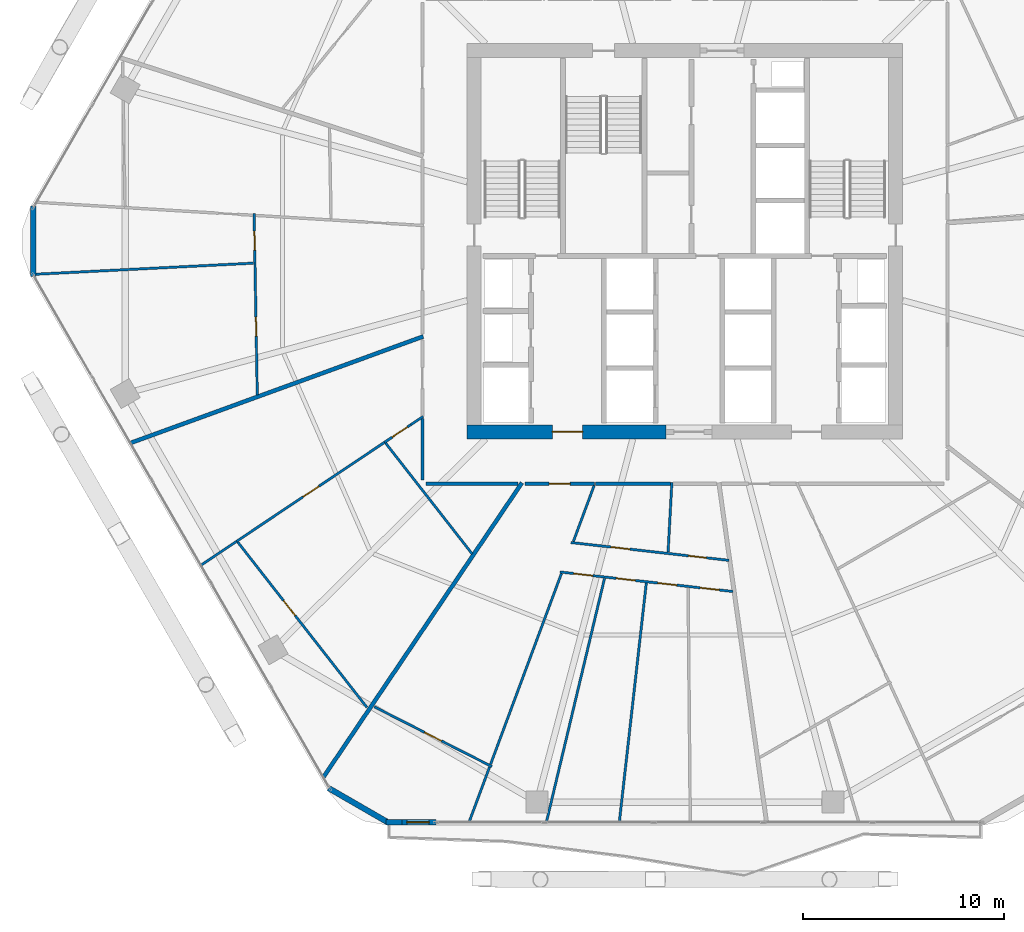
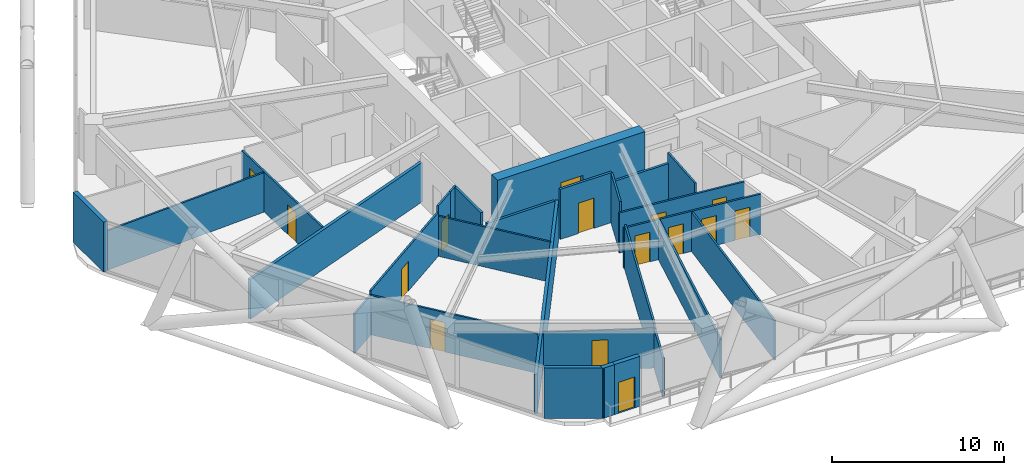
# One storey, part 27 of 35: 28 walls, 15 doors, 15 openings.
"""IFC4 building model written with IfcOpenShell, lengths in metres."""

from ifc_helpers import new_model, si_unit, direction, frame, frame_2d, origin, place, context, subcontext, project, spatial, rectangle, extrude, material, layer, layer_set, type_object, element, fill, save


model = new_model("IFC4")

# Units and contexts
model_context = context("Model", 3, precision=1e-05, world=origin(), true_north=direction((0.0, 1.0)))
body_context = subcontext(model_context, "Body", "Model", "MODEL_VIEW")
ifc_project = project(units=[si_unit("LENGTHUNIT", "METRE"), si_unit("AREAUNIT", "SQUARE_METRE"), si_unit("VOLUMEUNIT", "CUBIC_METRE"), si_unit("PLANEANGLEUNIT", "RADIAN"), si_unit("MASSUNIT", "GRAM", prefix="KILO")], contexts=[model_context])

# Site, building, storey
site_placement = place(None, origin())
site = spatial("IfcSite", under=ifc_project, at=site_placement, CompositionType="ELEMENT")
building_placement = place(site_placement, origin())
building = spatial("IfcBuilding", under=site, at=building_placement, Name="Zuhravey Tower", CompositionType="ELEMENT")
storey_placement = place(building_placement, frame((0.0, 0.0, 92.39990234375)))
storey = spatial("IfcBuildingStorey", under=building, at=storey_placement, Name="L22", CompositionType="ELEMENT", Elevation=92.39990234375)

# Wall, opening, door
ifc_material_1 = material(Name="Concrete C60/75", Category="concrete")
ifc_layer_1 = layer(ifc_material_1, 0.699951171875)
ifc_layer_set_1 = layer_set([ifc_layer_1], Name="Concrete C60/75")
wall_type_1 = type_object("IfcWallType", Name="Core Shear Wall 700", PredefinedType="SHEAR", material=ifc_layer_set_1)
wall_1_placement = place(storey_placement, frame((25.14990234375, 22.5, 0.0), z_axis=(0.0, 0.0, 1.0), x_axis=(1.0, 0.0, 0.0)))
wall_1 = element("IfcWall", 1, at=wall_1_placement, inside=storey, type_object=wall_type_1, Name="L22 South-West Core Shear Wall CW70", PredefinedType="SHEAR", context=body_context, shape_type="SweptSolid", body=[
    extrude(rectangle(XDim=9.900146484375, YDim=0.699951171875, at=frame_2d((4.9501953125, 0.0))), origin(), (0.0, 0.0, 1.0), 3.800048828125),
])
opening_1_placement = place(wall_1_placement, frame((4.25, 0.0, 0.0)))
opening_1 = element("IfcOpeningElement", 2, at=opening_1_placement, cuts=wall_1, Name="Opening FFD1", PredefinedType="OPENING", context=body_context, shape_type="SweptSolid", body=[
    extrude(rectangle(XDim=1.5, YDim=2.14990234375, at=frame_2d((0.75, 1.074951171875))), frame((0.0, 0.362060546875, 0.0), z_axis=(0.0, -1.0, 0.0), x_axis=(1.0, 0.0, 0.0)), (0.0, 0.0, 1.0), 0.723876953125),
])
ifc_material_2 = material(Name="Galvanised fire-rated steel leaf", Category="steel")
door_type_1 = type_object("IfcDoorType", Name="Firefighting Lobby Double Door 1500x2150", OperationType="DOUBLE_DOOR_SINGLE_SWING", PredefinedType="DOOR", material=ifc_material_2)
door_1_placement = place(opening_1_placement, origin())
door_1 = element("IfcDoor", 3, at=door_1_placement, inside=storey, type_object=door_type_1, Name="L22 Firefighting Lobby West Door", OperationType="DOUBLE_DOOR_SINGLE_SWING", OverallHeight=2.14990234375, OverallWidth=1.5, PredefinedType="DOOR", context=body_context, shape_type="SweptSolid", body=[
    extrude(rectangle(XDim=1.5, YDim=2.14990234375, at=frame_2d((0.75, 1.074951171875))), frame((0.0, 0.02490234375, 0.0), z_axis=(0.0, -1.0, 0.0), x_axis=(1.0, 0.0, 0.0)), (0.0, 0.0, 1.0), 0.050048828125),
])
fill(opening_1, door_1)

ifc_material_3 = material(Name="Gypsum fire-rated stud partition")
ifc_layer_2 = layer(ifc_material_3, 0.159912109375)
ifc_layer_set_2 = layer_set([ifc_layer_2], Name="Gypsum fire-rated stud partition")
wall_type_2 = type_object("IfcWallType", Name="Corridor Fire Partition 160", PredefinedType="PARTITIONING", material=ifc_layer_set_2)
wall_2_placement = place(storey_placement, frame((28.0283203125, 19.919921875, 0.0), z_axis=(0.0, 0.0, 1.0), x_axis=(1.0, 0.0, 0.0)))
wall_2 = element("IfcWall", 4, at=wall_2_placement, inside=storey, type_object=wall_type_2, Name="L22 IW16 Partition 054", PredefinedType="PARTITIONING", context=body_context, shape_type="SweptSolid", body=[
    extrude(rectangle(XDim=3.462646484375, YDim=0.159912109375, at=frame_2d((1.7314453125, 0.0))), origin(), (0.0, 0.0, 1.0), 3.550048828125),
])
opening_2_placement = place(wall_2_placement, frame((1.206298828125, 0.0, 0.0)))
opening_2 = element("IfcOpeningElement", 5, at=opening_2_placement, cuts=wall_2, Name="Opening APD1", PredefinedType="OPENING", context=body_context, shape_type="SweptSolid", body=[
    extrude(rectangle(XDim=1.050048828125, YDim=2.14990234375, at=frame_2d((0.52490234375, 1.074951171875))), frame((0.0, 0.092041015625, 0.0), z_axis=(0.0, -1.0, 0.0), x_axis=(1.0, 0.0, 0.0)), (0.0, 0.0, 1.0), 0.183837890625),
])
ifc_material_4 = material(Name="Solid-core oak fire-rated leaf")
door_type_2 = type_object("IfcDoorType", Name="Apartment Entrance Fire Door 1050x2150", OperationType="NOTDEFINED", PredefinedType="DOOR", material=ifc_material_4)
door_2_placement = place(opening_2_placement, frame((1.050048828125, 0.0, 0.0), z_axis=(0.0, 0.0, 1.0), x_axis=(-1.0, 0.0, 0.0)))
door_2 = element("IfcDoor", 6, at=door_2_placement, inside=storey, type_object=door_type_2, Name="L22 Door 054.1", OperationType="SINGLE_SWING_RIGHT", OverallHeight=2.14990234375, OverallWidth=1.050048828125, PredefinedType="DOOR", context=body_context, shape_type="SweptSolid", body=[
    extrude(rectangle(XDim=1.050048828125, YDim=2.14990234375, at=frame_2d((0.52490234375, 1.074951171875))), frame((0.0, 0.02490234375, 0.0), z_axis=(0.0, -1.0, 0.0), x_axis=(1.0, 0.0, 0.0)), (0.0, 0.0, 1.0), 0.050048828125),
])
fill(opening_2, door_2)

# Walls
wall_3_placement = place(storey_placement, frame((23.10009765625, 19.919921875, 0.0), z_axis=(0.0, 0.0, 1.0), x_axis=(1.0, 0.0, 0.0)))
element("IfcWall", 7, at=wall_3_placement, inside=storey, type_object=wall_type_2, Name="L22 IW16 Partition 127", PredefinedType="PARTITIONING", context=body_context, shape_type="SweptSolid", body=[
    extrude(rectangle(XDim=4.5732421875, YDim=0.159912109375, at=frame_2d((2.28662109375, 0.0))), origin(), (0.0, 0.0, 1.0), 2.85009765625),
])
wall_4_placement = place(storey_placement, frame((22.919921875, 23.161865234375, 0.0), z_axis=(0.0, 0.0, 1.0), x_axis=(0.0, -1.0, 0.0)))
element("IfcWall", 8, at=wall_4_placement, inside=storey, type_object=wall_type_2, Name="L22 IW16 Partition 128", PredefinedType="PARTITIONING", context=body_context, shape_type="SweptSolid", body=[
    extrude(rectangle(XDim=3.061767578125, YDim=0.159912109375, at=frame_2d((1.53076171875, 0.0))), origin(), (0.0, 0.0, 1.0), 3.550048828125),
])
wall_5_placement = place(storey_placement, frame((31.53369140625, 19.919921875, 0.0), z_axis=(0.0, 0.0, 1.0), x_axis=(1.0, 0.0, 0.0)))
element("IfcWall", 9, at=wall_5_placement, inside=storey, type_object=wall_type_2, Name="L22 IW16 Partition 129", PredefinedType="PARTITIONING", context=body_context, shape_type="SweptSolid", body=[
    extrude(rectangle(XDim=3.7451171875, YDim=0.159912109375, at=frame_2d((1.87255859375, 0.0))), origin(), (0.0, 0.0, 1.0), 2.85009765625),
])

# Wall, opening, door
ifc_material_5 = material(Name="Precast concrete C40/50", Category="concrete")
ifc_layer_3 = layer(ifc_material_5, 0.280029296875)
ifc_layer_set_3 = layer_set([ifc_layer_3], Name="Precast concrete C40/50")
wall_type_3 = type_object("IfcWallType", Name="Crown Architectural Wall 280", PredefinedType="SOLIDWALL", material=ifc_layer_set_3)
wall_6_placement = place(storey_placement, frame((23.595458984375, 3.04150390625, 0.0), z_axis=(0.0, 0.0, 1.0), x_axis=(-1.0, 0.0, 0.0)))
wall_6 = element("IfcWall", 10, at=wall_6_placement, inside=storey, type_object=wall_type_3, Name="L22 Face 5 Facade Pier EW28-1", PredefinedType="SOLIDWALL", context=body_context, shape_type="SweptSolid", body=[
    extrude(rectangle(XDim=1.7900390625, YDim=0.280029296875, at=frame_2d((0.89501953125, 0.0))), origin(), (0.0, 0.0, 1.0), 3.550048828125),
])
opening_3_placement = place(wall_6_placement, frame((0.344970703125, 0.0, 0.0)))
opening_3 = element("IfcOpeningElement", 11, at=opening_3_placement, cuts=wall_6, Name="Opening BLD1", PredefinedType="OPENING", context=body_context, shape_type="SweptSolid", body=[
    extrude(rectangle(XDim=1.10009765625, YDim=2.199951171875, at=frame_2d((0.550048828125, 1.10009765625))), frame((0.0, 0.152099609375, 0.0), z_axis=(0.0, -1.0, 0.0), x_axis=(1.0, 0.0, 0.0)), (0.0, 0.0, 1.0), 0.303955078125),
])
ifc_material_6 = material(Name="Thermally broken aluminium and low-E glass", Category="aluminium")
door_type_3 = type_object("IfcDoorType", Name="Balcony & Sky-Tray Glazed Door 1100x2200", OperationType="NOTDEFINED", PredefinedType="DOOR", material=ifc_material_6)
door_3_placement = place(opening_3_placement, frame((1.10009765625, 0.0, 0.0), z_axis=(0.0, 0.0, 1.0), x_axis=(-1.0, 0.0, 0.0)))
door_3 = element("IfcDoor", 12, at=door_3_placement, inside=storey, type_object=door_type_3, Name="L22 Face 5 Wave Balcony Door", OperationType="SINGLE_SWING_LEFT", OverallHeight=2.199951171875, OverallWidth=1.10009765625, PredefinedType="DOOR", context=body_context, shape_type="SweptSolid", body=[
    extrude(rectangle(XDim=1.10009765625, YDim=2.199951171875, at=frame_2d((0.550048828125, 1.10009765625))), frame((0.0, 0.02490234375, 0.0), z_axis=(0.0, -1.0, 0.0), x_axis=(1.0, 0.0, 0.0)), (0.0, 0.0, 1.0), 0.050048828125),
])
fill(opening_3, door_3)

# Walls
wall_7_placement = place(storey_placement, frame((21.8955078125, 3.04150390625, 0.0), z_axis=(0.0, 0.0, 1.0), x_axis=(-1.0, 0.0, 0.0)))
element("IfcWall", 13, at=wall_7_placement, inside=storey, type_object=wall_type_3, Name="L22 Face 5 Closure Pier EW28", PredefinedType="SOLIDWALL", context=body_context, shape_type="SweptSolid", body=[
    extrude(rectangle(XDim=0.7900390625, YDim=0.280029296875, at=frame_2d((0.39501953125, 0.0))), origin(), (0.0, 0.0, 1.0), 3.550048828125),
])
wall_8_placement = place(storey_placement, frame((21.28271484375, 2.993896484375, 0.0), z_axis=(0.0, 0.0, 1.0), x_axis=(-0.866007452331, 0.500031091541, 0.0)))
element("IfcWall", 14, at=wall_8_placement, inside=storey, type_object=wall_type_3, Name="L22 Rounded Corner Closure Wall EW28-04", PredefinedType="SOLIDWALL", context=body_context, shape_type="SweptSolid", body=[
    extrude(rectangle(XDim=3.514892578125, YDim=0.280029296875, at=frame_2d((1.75732421875, 0.0))), origin(), (0.0, 0.0, 1.0), 3.550048828125),
])
wall_9_placement = place(storey_placement, frame((3.521484375, 30.242431640625, 0.0), z_axis=(0.0, 0.0, 1.0), x_axis=(0.0, 1.0, 0.0)))
element("IfcWall", 15, at=wall_9_placement, inside=storey, type_object=wall_type_3, Name="L22 Rounded Corner Closure Wall EW28-06", PredefinedType="SOLIDWALL", context=body_context, shape_type="SweptSolid", body=[
    extrude(rectangle(XDim=3.51513671875, YDim=0.280029296875, at=frame_2d((1.757568359375, 0.0))), origin(), (0.0, 0.0, 1.0), 3.550048828125),
])
ifc_material_7 = material(Name="Gypsum double-stud party assembly")
ifc_layer_4 = layer(ifc_material_7, 0.199951171875)
ifc_layer_set_4 = layer_set([ifc_layer_4], Name="Gypsum double-stud party assembly")
wall_type_4 = type_object("IfcWallType", Name="Inter-Tenancy Party Wall 200", PredefinedType="PARTITIONING", material=ifc_layer_set_4)
wall_10_placement = place(storey_placement, frame((22.9599609375, 27.25390625, 0.0), z_axis=(0.0, 0.0, 1.0), x_axis=(-0.939691473543, -0.342023295333, 0.0)))
element("IfcWall", 16, at=wall_10_placement, inside=storey, type_object=wall_type_4, Name="L22 IW20 Partition 100", PredefinedType="PARTITIONING", context=body_context, shape_type="SweptSolid", body=[
    extrude(rectangle(XDim=15.5283203125, YDim=0.199951171875, at=frame_2d((7.76416015625, 0.0))), origin(), (0.0, 0.0, 1.0), 2.800048828125),
])
wall_11_placement = place(storey_placement, frame((27.87890625, 19.9599609375, 0.0), z_axis=(0.0, 0.0, 1.0), x_axis=(-0.559197020648, -0.829034795469, 0.0)))
element("IfcWall", 17, at=wall_11_placement, inside=storey, type_object=wall_type_4, Name="L22 IW20 Partition 104", PredefinedType="PARTITIONING", context=body_context, shape_type="SweptSolid", body=[
    extrude(rectangle(XDim=17.6962890625, YDim=0.199951171875, at=frame_2d((8.84814453125, 0.0))), origin(), (0.0, 0.0, 1.0), 2.800048828125),
])

# Wall, openings, doors
ifc_material_8 = material(Name="Gypsum metal-stud partition")
ifc_layer_5 = layer(ifc_material_8, 0.1201171875)
ifc_layer_set_5 = layer_set([ifc_layer_5], Name="Gypsum metal-stud partition")
wall_type_5 = type_object("IfcWallType", Name="Unit Internal Partition 120", PredefinedType="PARTITIONING", material=ifc_layer_set_5)
wall_12_placement = place(storey_placement, frame((14.533203125, 33.390625, 0.0), z_axis=(0.0, 0.0, 1.0), x_axis=(0.017438423518, -0.999847939131, 0.0)))
wall_12 = element("IfcWall", 18, at=wall_12_placement, inside=storey, type_object=wall_type_5, Name="L22 IW12 Partition 041", PredefinedType="PARTITIONING", context=body_context, shape_type="SweptSolid", body=[
    extrude(rectangle(XDim=9.044189453125, YDim=0.1201171875, at=frame_2d((4.52197265625, 0.0))), origin(), (0.0, 0.0, 1.0), 2.85009765625),
])
opening_4_placement = place(wall_12_placement, frame((0.885009765625, 0.0, 0.0)))
opening_4 = element("IfcOpeningElement", 19, at=opening_4_placement, cuts=wall_12, Name="Opening IND1", PredefinedType="OPENING", context=body_context, shape_type="SweptSolid", body=[
    extrude(rectangle(XDim=0.949951171875, YDim=2.10009765625, at=frame_2d((0.47509765625, 1.050048828125))), frame((0.0, 0.072021484375, 0.0), z_axis=(0.0, -1.0, 0.0), x_axis=(1.0, 0.0, 0.0)), (0.0, 0.0, 1.0), 0.14404296875),
])
opening_5_placement = place(wall_12_placement, frame((5.167236328125, 0.0, 0.0)))
opening_5 = element("IfcOpeningElement", 20, at=opening_5_placement, cuts=wall_12, Name="Opening IND1", PredefinedType="OPENING", context=body_context, shape_type="SweptSolid", body=[
    extrude(rectangle(XDim=0.949951171875, YDim=2.10009765625, at=frame_2d((0.47509765625, 1.050048828125))), frame((0.0, 0.072021484375, 0.0), z_axis=(0.0, -1.0, 0.0), x_axis=(1.0, 0.0, 0.0)), (0.0, 0.0, 1.0), 0.14404296875),
])
ifc_material_9 = material(Name="Painted engineered timber leaf", Category="wood")
door_type_4 = type_object("IfcDoorType", Name="Internal Room & Bedroom Door 950x2100", OperationType="NOTDEFINED", PredefinedType="DOOR", material=ifc_material_9)
door_4_placement = place(opening_4_placement, frame((0.949951171875, 0.0, 0.0), z_axis=(0.0, 0.0, 1.0), x_axis=(-1.0, 0.0, 0.0)))
door_4 = element("IfcDoor", 21, at=door_4_placement, inside=storey, type_object=door_type_4, Name="Apartment L22-05 Family Study Door", OperationType="SINGLE_SWING_LEFT", OverallHeight=2.10009765625, OverallWidth=0.949951171875, PredefinedType="DOOR", context=body_context, shape_type="SweptSolid", body=[
    extrude(rectangle(XDim=0.949951171875, YDim=2.10009765625, at=frame_2d((0.47509765625, 1.050048828125))), frame((0.0, 0.02490234375, 0.0), z_axis=(0.0, -1.0, 0.0), x_axis=(1.0, 0.0, 0.0)), (0.0, 0.0, 1.0), 0.050048828125),
])
fill(opening_4, door_4)
door_5_placement = place(opening_5_placement, frame((0.949951171875, 0.0, 0.0), z_axis=(0.0, 0.0, 1.0), x_axis=(-1.0, 0.0, 0.0)))
door_5 = element("IfcDoor", 22, at=door_5_placement, inside=storey, type_object=door_type_4, Name="Apartment L22-05 Dining Room Door", OperationType="SINGLE_SWING_RIGHT", OverallHeight=2.10009765625, OverallWidth=0.949951171875, PredefinedType="DOOR", context=body_context, shape_type="SweptSolid", body=[
    extrude(rectangle(XDim=0.949951171875, YDim=2.10009765625, at=frame_2d((0.47509765625, 1.050048828125))), frame((0.0, 0.02490234375, 0.0), z_axis=(0.0, -1.0, 0.0), x_axis=(1.0, 0.0, 0.0)), (0.0, 0.0, 1.0), 0.050048828125),
])
fill(opening_5, door_5)

# Wall, opening, door
wall_13_placement = place(storey_placement, frame((22.35009765625, 22.862060546875, 0.0), z_axis=(0.0, 0.0, 1.0), x_axis=(-0.831058391016, -0.556185176647, 0.0)))
wall_13 = element("IfcWall", 23, at=wall_13_placement, inside=storey, type_object=wall_type_5, Name="L22 IW12 Partition 047", PredefinedType="PARTITIONING", context=body_context, shape_type="SweptSolid", body=[
    extrude(rectangle(XDim=1.592529296875, YDim=0.1201171875, at=frame_2d((0.79638671875, 0.0))), origin(), (0.0, 0.0, 1.0), 3.550048828125),
])
opening_6_placement = place(wall_13_placement, frame((0.218994140625, 0.0, 0.0)))
opening_6 = element("IfcOpeningElement", 24, at=opening_6_placement, cuts=wall_13, Name="Opening WCD1", PredefinedType="OPENING", context=body_context, shape_type="SweptSolid", body=[
    extrude(rectangle(XDim=0.89990234375, YDim=2.10009765625, at=frame_2d((0.449951171875, 1.050048828125))), frame((0.0, 0.072021484375, 0.0), z_axis=(0.0, -1.0, 0.0), x_axis=(1.0, 0.0, 0.0)), (0.0, 0.0, 1.0), 0.14404296875),
])
ifc_material_10 = material(Name="Moisture-resistant timber leaf", Category="wood")
door_type_5 = type_object("IfcDoorType", Name="Bathroom & WC Internal Door 900x2100", OperationType="NOTDEFINED", PredefinedType="DOOR", material=ifc_material_10)
door_6_placement = place(opening_6_placement, origin())
door_6 = element("IfcDoor", 25, at=door_6_placement, inside=storey, type_object=door_type_5, Name="Apartment L22-06 Bathroom Door", OperationType="SINGLE_SWING_LEFT", OverallHeight=2.10009765625, OverallWidth=0.89990234375, PredefinedType="DOOR", context=body_context, shape_type="SweptSolid", body=[
    extrude(rectangle(XDim=0.89990234375, YDim=2.10009765625, at=frame_2d((0.449951171875, 1.050048828125))), frame((0.0, 0.02490234375, 0.0), z_axis=(0.0, -1.0, 0.0), x_axis=(1.0, 0.0, 0.0)), (0.0, 0.0, 1.0), 0.050048828125),
])
fill(opening_6, door_6)

wall_14_placement = place(storey_placement, frame((21.026611328125, 21.976318359375, 0.0), z_axis=(0.0, 0.0, 1.0), x_axis=(-0.830972753707, -0.556313115607, 0.0)))
wall_14 = element("IfcWall", 26, at=wall_14_placement, inside=storey, type_object=wall_type_5, Name="L22 IW12 Partition 048", PredefinedType="PARTITIONING", context=body_context, shape_type="SweptSolid", body=[
    extrude(rectangle(XDim=8.86669921875, YDim=0.1201171875, at=frame_2d((4.433349609375, 0.0))), origin(), (0.0, 0.0, 1.0), 3.10009765625),
])
opening_7_placement = place(wall_14_placement, frame((3.93310546875, 0.0, 0.0)))
opening_7 = element("IfcOpeningElement", 27, at=opening_7_placement, cuts=wall_14, Name="Opening IND1", PredefinedType="OPENING", context=body_context, shape_type="SweptSolid", body=[
    extrude(rectangle(XDim=0.949951171875, YDim=2.10009765625, at=frame_2d((0.47509765625, 1.050048828125))), frame((0.0, 0.072021484375, 0.0), z_axis=(0.0, -1.0, 0.0), x_axis=(1.0, 0.0, 0.0)), (0.0, 0.0, 1.0), 0.14404296875),
])
door_7_placement = place(opening_7_placement, origin())
door_7 = element("IfcDoor", 28, at=door_7_placement, inside=storey, type_object=door_type_4, Name="Apartment L22-06 Home Office Door", OperationType="SINGLE_SWING_RIGHT", OverallHeight=2.10009765625, OverallWidth=0.949951171875, PredefinedType="DOOR", context=body_context, shape_type="SweptSolid", body=[
    extrude(rectangle(XDim=0.949951171875, YDim=2.10009765625, at=frame_2d((0.47509765625, 1.050048828125))), frame((0.0, 0.02490234375, 0.0), z_axis=(0.0, -1.0, 0.0), x_axis=(1.0, 0.0, 0.0)), (0.0, 0.0, 1.0), 0.050048828125),
])
fill(opening_7, door_7)

wall_15_placement = place(storey_placement, frame((13.7216796875, 17.00390625, 0.0), z_axis=(0.0, 0.0, 1.0), x_axis=(0.615661723456, -0.788010559746, 0.0)))
wall_15 = element("IfcWall", 29, at=wall_15_placement, inside=storey, type_object=wall_type_5, Name="L22 IW12 Partition 049", PredefinedType="PARTITIONING", context=body_context, shape_type="SweptSolid", body=[
    extrude(rectangle(XDim=10.449951171875, YDim=0.1201171875, at=frame_2d((5.22509765625, 0.0))), origin(), (0.0, 0.0, 1.0), 2.800048828125),
])
opening_8_placement = place(wall_15_placement, frame((3.69482421875, 0.0, 0.0)))
opening_8 = element("IfcOpeningElement", 30, at=opening_8_placement, cuts=wall_15, Name="Opening IND1", PredefinedType="OPENING", context=body_context, shape_type="SweptSolid", body=[
    extrude(rectangle(XDim=0.949951171875, YDim=2.10009765625, at=frame_2d((0.47509765625, 1.050048828125))), frame((0.0, 0.072021484375, 0.0), z_axis=(0.0, -1.0, 0.0), x_axis=(1.0, 0.0, 0.0)), (0.0, 0.0, 1.0), 0.14404296875),
])
door_8_placement = place(opening_8_placement, frame((0.949951171875, 0.0, 0.0), z_axis=(0.0, 0.0, 1.0), x_axis=(-1.0, 0.0, 0.0)))
door_8 = element("IfcDoor", 31, at=door_8_placement, inside=storey, type_object=door_type_4, Name="Apartment L22-06 Bedroom 1 Door", OperationType="SINGLE_SWING_LEFT", OverallHeight=2.10009765625, OverallWidth=0.949951171875, PredefinedType="DOOR", context=body_context, shape_type="SweptSolid", body=[
    extrude(rectangle(XDim=0.949951171875, YDim=2.10009765625, at=frame_2d((0.47509765625, 1.050048828125))), frame((0.0, 0.02490234375, 0.0), z_axis=(0.0, -1.0, 0.0), x_axis=(1.0, 0.0, 0.0)), (0.0, 0.0, 1.0), 0.050048828125),
])
fill(opening_8, door_8)

wall_16_placement = place(storey_placement, frame((20.524169921875, 8.799560546875, 0.0), z_axis=(0.0, 0.0, 1.0), x_axis=(0.891487645156, -0.453045007185, 0.0)))
wall_16 = element("IfcWall", 32, at=wall_16_placement, inside=storey, type_object=wall_type_5, Name="L22 IW12 Partition 051", PredefinedType="PARTITIONING", context=body_context, shape_type="SweptSolid", body=[
    extrude(rectangle(XDim=6.570556640625, YDim=0.1201171875, at=frame_2d((3.28515625, 0.0))), origin(), (0.0, 0.0, 1.0), 2.800048828125),
])
opening_9_placement = place(wall_16_placement, frame((2.810302734375, 0.0, 0.0)))
opening_9 = element("IfcOpeningElement", 33, at=opening_9_placement, cuts=wall_16, Name="Opening IND1", PredefinedType="OPENING", context=body_context, shape_type="SweptSolid", body=[
    extrude(rectangle(XDim=0.949951171875, YDim=2.10009765625, at=frame_2d((0.47509765625, 1.050048828125))), frame((0.0, 0.072021484375, 0.0), z_axis=(0.0, -1.0, 0.0), x_axis=(1.0, 0.0, 0.0)), (0.0, 0.0, 1.0), 0.14404296875),
])
door_9_placement = place(opening_9_placement, frame((0.949951171875, 0.0, 0.0), z_axis=(0.0, 0.0, 1.0), x_axis=(-1.0, 0.0, 0.0)))
door_9 = element("IfcDoor", 34, at=door_9_placement, inside=storey, type_object=door_type_4, Name="Apartment L22-07 Family Study Door", OperationType="SINGLE_SWING_LEFT", OverallHeight=2.10009765625, OverallWidth=0.949951171875, PredefinedType="DOOR", context=body_context, shape_type="SweptSolid", body=[
    extrude(rectangle(XDim=0.949951171875, YDim=2.10009765625, at=frame_2d((0.47509765625, 1.050048828125))), frame((0.0, 0.02490234375, 0.0), z_axis=(0.0, -1.0, 0.0), x_axis=(1.0, 0.0, 0.0)), (0.0, 0.0, 1.0), 0.050048828125),
])
fill(opening_9, door_9)

# Wall, openings, doors
wall_17_placement = place(storey_placement, frame((30.31591796875, 16.987060546875, 0.0), z_axis=(0.0, 0.0, 1.0), x_axis=(0.993688053022, -0.112178666785, 0.0)))
wall_17 = element("IfcWall", 35, at=wall_17_placement, inside=storey, type_object=wall_type_5, Name="L22 IW12 Partition 052", PredefinedType="PARTITIONING", context=body_context, shape_type="SweptSolid", body=[
    extrude(rectangle(XDim=7.928466796875, YDim=0.1201171875, at=frame_2d((3.96435546875, 0.0))), origin(), (0.0, 0.0, 1.0), 2.85009765625),
])
opening_10_placement = place(wall_17_placement, frame((2.01318359375, 0.0, 0.0)))
opening_10 = element("IfcOpeningElement", 36, at=opening_10_placement, cuts=wall_17, Name="Opening IND1", PredefinedType="OPENING", context=body_context, shape_type="SweptSolid", body=[
    extrude(rectangle(XDim=0.949951171875, YDim=2.10009765625, at=frame_2d((0.47509765625, 1.050048828125))), frame((0.0, 0.072021484375, 0.0), z_axis=(0.0, -1.0, 0.0), x_axis=(1.0, 0.0, 0.0)), (0.0, 0.0, 1.0), 0.14404296875),
])
opening_11_placement = place(wall_17_placement, frame((5.8994140625, 0.0, 0.0)))
opening_11 = element("IfcOpeningElement", 37, at=opening_11_placement, cuts=wall_17, Name="Opening WCD1", PredefinedType="OPENING", context=body_context, shape_type="SweptSolid", body=[
    extrude(rectangle(XDim=0.89990234375, YDim=2.10009765625, at=frame_2d((0.449951171875, 1.050048828125))), frame((0.0, 0.072021484375, 0.0), z_axis=(0.0, -1.0, 0.0), x_axis=(1.0, 0.0, 0.0)), (0.0, 0.0, 1.0), 0.14404296875),
])
door_10_placement = place(opening_11_placement, origin())
door_10 = element("IfcDoor", 38, at=door_10_placement, inside=storey, type_object=door_type_5, Name="Apartment L22-07 Bathroom Door", OperationType="SINGLE_SWING_LEFT", OverallHeight=2.10009765625, OverallWidth=0.89990234375, PredefinedType="DOOR", context=body_context, shape_type="SweptSolid", body=[
    extrude(rectangle(XDim=0.89990234375, YDim=2.10009765625, at=frame_2d((0.449951171875, 1.050048828125))), frame((0.0, 0.02490234375, 0.0), z_axis=(0.0, -1.0, 0.0), x_axis=(1.0, 0.0, 0.0)), (0.0, 0.0, 1.0), 0.050048828125),
])
fill(opening_11, door_10)
door_11_placement = place(opening_10_placement, origin())
door_11 = element("IfcDoor", 39, at=door_11_placement, inside=storey, type_object=door_type_4, Name="Apartment L22-07 Kitchen Door", OperationType="SINGLE_SWING_RIGHT", OverallHeight=2.10009765625, OverallWidth=0.949951171875, PredefinedType="DOOR", context=body_context, shape_type="SweptSolid", body=[
    extrude(rectangle(XDim=0.949951171875, YDim=2.10009765625, at=frame_2d((0.47509765625, 1.050048828125))), frame((0.0, 0.02490234375, 0.0), z_axis=(0.0, -1.0, 0.0), x_axis=(1.0, 0.0, 0.0)), (0.0, 0.0, 1.0), 0.050048828125),
])
fill(opening_10, door_11)

wall_18_placement = place(storey_placement, frame((29.7705078125, 15.518798828125, 0.0), z_axis=(0.0, 0.0, 1.0), x_axis=(0.993690565923, -0.112156405055, 0.0)))
wall_18 = element("IfcWall", 40, at=wall_18_placement, inside=storey, type_object=wall_type_5, Name="L22 IW12 Partition 053", PredefinedType="PARTITIONING", context=body_context, shape_type="SweptSolid", body=[
    extrude(rectangle(XDim=8.68310546875, YDim=0.1201171875, at=frame_2d((4.341552734375, 0.0))), origin(), (0.0, 0.0, 1.0), 2.85009765625),
])
opening_12_placement = place(wall_18_placement, frame((0.701904296875, 0.0, 0.0)))
opening_12 = element("IfcOpeningElement", 41, at=opening_12_placement, cuts=wall_18, Name="Opening IND1", PredefinedType="OPENING", context=body_context, shape_type="SweptSolid", body=[
    extrude(rectangle(XDim=0.949951171875, YDim=2.10009765625, at=frame_2d((0.47509765625, 1.050048828125))), frame((0.0, 0.072021484375, 0.0), z_axis=(0.0, -1.0, 0.0), x_axis=(1.0, 0.0, 0.0)), (0.0, 0.0, 1.0), 0.14404296875),
])
opening_13_placement = place(wall_18_placement, frame((2.822509765625, 0.0, 0.0)))
opening_13 = element("IfcOpeningElement", 42, at=opening_13_placement, cuts=wall_18, Name="Opening IND1", PredefinedType="OPENING", context=body_context, shape_type="SweptSolid", body=[
    extrude(rectangle(XDim=0.949951171875, YDim=2.10009765625, at=frame_2d((0.47509765625, 1.050048828125))), frame((0.0, 0.072021484375, 0.0), z_axis=(0.0, -1.0, 0.0), x_axis=(1.0, 0.0, 0.0)), (0.0, 0.0, 1.0), 0.14404296875),
])
opening_14_placement = place(wall_18_placement, frame((4.91064453125, 0.0, 0.0)))
opening_14 = element("IfcOpeningElement", 43, at=opening_14_placement, cuts=wall_18, Name="Opening IND1", PredefinedType="OPENING", context=body_context, shape_type="SweptSolid", body=[
    extrude(rectangle(XDim=0.949951171875, YDim=2.10009765625, at=frame_2d((0.47509765625, 1.050048828125))), frame((0.0, 0.072021484375, 0.0), z_axis=(0.0, -1.0, 0.0), x_axis=(1.0, 0.0, 0.0)), (0.0, 0.0, 1.0), 0.14404296875),
])
opening_15_placement = place(wall_18_placement, frame((7.031005859375, 0.0, 0.0)))
opening_15 = element("IfcOpeningElement", 44, at=opening_15_placement, cuts=wall_18, Name="Opening IND1", PredefinedType="OPENING", context=body_context, shape_type="SweptSolid", body=[
    extrude(rectangle(XDim=0.949951171875, YDim=2.10009765625, at=frame_2d((0.47509765625, 1.050048828125))), frame((0.0, 0.072021484375, 0.0), z_axis=(0.0, -1.0, 0.0), x_axis=(1.0, 0.0, 0.0)), (0.0, 0.0, 1.0), 0.14404296875),
])
door_12_placement = place(opening_12_placement, frame((0.949951171875, 0.0, 0.0), z_axis=(0.0, 0.0, 1.0), x_axis=(-1.0, 0.0, 0.0)))
door_12 = element("IfcDoor", 45, at=door_12_placement, inside=storey, type_object=door_type_4, Name="Apartment L22-07 Bedroom 1 Door", OperationType="SINGLE_SWING_RIGHT", OverallHeight=2.10009765625, OverallWidth=0.949951171875, PredefinedType="DOOR", context=body_context, shape_type="SweptSolid", body=[
    extrude(rectangle(XDim=0.949951171875, YDim=2.10009765625, at=frame_2d((0.47509765625, 1.050048828125))), frame((0.0, 0.02490234375, 0.0), z_axis=(0.0, -1.0, 0.0), x_axis=(1.0, 0.0, 0.0)), (0.0, 0.0, 1.0), 0.050048828125),
])
fill(opening_12, door_12)
door_13_placement = place(opening_13_placement, frame((0.949951171875, 0.0, 0.0), z_axis=(0.0, 0.0, 1.0), x_axis=(-1.0, 0.0, 0.0)))
door_13 = element("IfcDoor", 46, at=door_13_placement, inside=storey, type_object=door_type_4, Name="Apartment L22-07 Bedroom 2 Door", OperationType="SINGLE_SWING_LEFT", OverallHeight=2.10009765625, OverallWidth=0.949951171875, PredefinedType="DOOR", context=body_context, shape_type="SweptSolid", body=[
    extrude(rectangle(XDim=0.949951171875, YDim=2.10009765625, at=frame_2d((0.47509765625, 1.050048828125))), frame((0.0, 0.02490234375, 0.0), z_axis=(0.0, -1.0, 0.0), x_axis=(1.0, 0.0, 0.0)), (0.0, 0.0, 1.0), 0.050048828125),
])
fill(opening_13, door_13)
door_14_placement = place(opening_14_placement, frame((0.949951171875, 0.0, 0.0), z_axis=(0.0, 0.0, 1.0), x_axis=(-1.0, 0.0, 0.0)))
door_14 = element("IfcDoor", 47, at=door_14_placement, inside=storey, type_object=door_type_4, Name="Apartment L22-07 Bedroom 3 Door", OperationType="SINGLE_SWING_RIGHT", OverallHeight=2.10009765625, OverallWidth=0.949951171875, PredefinedType="DOOR", context=body_context, shape_type="SweptSolid", body=[
    extrude(rectangle(XDim=0.949951171875, YDim=2.10009765625, at=frame_2d((0.47509765625, 1.050048828125))), frame((0.0, 0.02490234375, 0.0), z_axis=(0.0, -1.0, 0.0), x_axis=(1.0, 0.0, 0.0)), (0.0, 0.0, 1.0), 0.050048828125),
])
fill(opening_14, door_14)
door_15_placement = place(opening_15_placement, frame((0.949951171875, 0.0, 0.0), z_axis=(0.0, 0.0, 1.0), x_axis=(-1.0, 0.0, 0.0)))
door_15 = element("IfcDoor", 48, at=door_15_placement, inside=storey, type_object=door_type_4, Name="Apartment L22-07 Bedroom 4 Door", OperationType="SINGLE_SWING_LEFT", OverallHeight=2.10009765625, OverallWidth=0.949951171875, PredefinedType="DOOR", context=body_context, shape_type="SweptSolid", body=[
    extrude(rectangle(XDim=0.949951171875, YDim=2.10009765625, at=frame_2d((0.47509765625, 1.050048828125))), frame((0.0, 0.02490234375, 0.0), z_axis=(0.0, -1.0, 0.0), x_axis=(1.0, 0.0, 0.0)), (0.0, 0.0, 1.0), 0.050048828125),
])
fill(opening_15, door_15)

# Walls
wall_19_placement = place(storey_placement, frame((14.508544921875, 30.907470703125, 0.0), z_axis=(0.0, 0.0, 1.0), x_axis=(-0.998710415544, -0.05076914303, 0.0)))
element("IfcWall", 49, at=wall_19_placement, inside=storey, type_object=wall_type_5, Name="L22 IW12 Partition 095", PredefinedType="PARTITIONING", context=body_context, shape_type="SweptSolid", body=[
    extrude(rectangle(XDim=11.041015625, YDim=0.1201171875, at=frame_2d((5.5205078125, 0.0))), origin(), (0.0, 0.0, 1.0), 2.800048828125),
])
wall_20_placement = place(storey_placement, frame((22.9560546875, 23.267822265625, 0.0), z_axis=(0.0, 0.0, 1.0), x_axis=(-0.830915468449, -0.556398673877, 0.0)))
element("IfcWall", 50, at=wall_20_placement, inside=storey, type_object=wall_type_5, Name="L22 IW12 Partition 101", PredefinedType="PARTITIONING", context=body_context, shape_type="SweptSolid", body=[
    extrude(rectangle(XDim=0.729248046875, YDim=0.1201171875, at=frame_2d((0.36474609375, 0.0))), origin(), (0.0, 0.0, 1.0), 3.550048828125),
])
wall_21_placement = place(storey_placement, frame((13.65869140625, 17.0439453125, 0.0), z_axis=(0.0, 0.0, 1.0), x_axis=(-0.830943875416, -0.556356249096, 0.0)))
element("IfcWall", 51, at=wall_21_placement, inside=storey, type_object=wall_type_5, Name="L22 IW12 Partition 102", PredefinedType="PARTITIONING", context=body_context, shape_type="SweptSolid", body=[
    extrude(rectangle(XDim=2.141845703125, YDim=0.1201171875, at=frame_2d((1.07080078125, 0.0))), origin(), (0.0, 0.0, 1.0), 2.800048828125),
])
wall_22_placement = place(storey_placement, frame((21.08935546875, 21.936279296875, 0.0), z_axis=(0.0, 0.0, 1.0), x_axis=(0.615669714857, -0.78800431611, 0.0)))
element("IfcWall", 52, at=wall_22_placement, inside=storey, type_object=wall_type_5, Name="L22 IW12 Partition 103", PredefinedType="PARTITIONING", context=body_context, shape_type="SweptSolid", body=[
    extrude(rectangle(XDim=7.012451171875, YDim=0.1201171875, at=frame_2d((3.50634765625, 0.0))), origin(), (0.0, 0.0, 1.0), 2.85009765625),
])
wall_23_placement = place(storey_placement, frame((35.349609375, 19.969970703125, 0.0), z_axis=(0.0, 0.0, 1.0), x_axis=(-0.053944893028, -0.998543914165, 0.0)))
element("IfcWall", 53, at=wall_23_placement, inside=storey, type_object=wall_type_5, Name="L22 IW12 Partition 105", PredefinedType="PARTITIONING", context=body_context, shape_type="SweptSolid", body=[
    extrude(rectangle(XDim=3.466796875, YDim=0.1201171875, at=frame_2d((1.7333984375, 0.0))), origin(), (0.0, 0.0, 1.0), 3.550048828125),
])
wall_24_placement = place(storey_placement, frame((31.994384765625, 15.199462890625, 0.0), z_axis=(0.0, 0.0, 1.0), x_axis=(-0.231903726738, -0.972738742687, 0.0)))
element("IfcWall", 54, at=wall_24_placement, inside=storey, type_object=wall_type_5, Name="L22 IW12 Partition 106", PredefinedType="PARTITIONING", context=body_context, shape_type="SweptSolid", body=[
    extrude(rectangle(XDim=12.509033203125, YDim=0.1201171875, at=frame_2d((6.25439453125, 0.0))), origin(), (0.0, 0.0, 1.0), 2.800048828125),
])
wall_25_placement = place(storey_placement, frame((34.0771484375, 14.96435546875, 0.0), z_axis=(0.0, 0.0, 1.0), x_axis=(-0.112162915039, -0.993689831129, 0.0)))
element("IfcWall", 55, at=wall_25_placement, inside=storey, type_object=wall_type_5, Name="L22 IW12 Partition 107", PredefinedType="PARTITIONING", context=body_context, shape_type="SweptSolid", body=[
    extrude(rectangle(XDim=12.008544921875, YDim=0.1201171875, at=frame_2d((6.00439453125, 0.0))), origin(), (0.0, 0.0, 1.0), 2.800048828125),
])
wall_26_placement = place(storey_placement, frame((31.4794921875, 19.83203125, 0.0), z_axis=(0.0, 0.0, 1.0), x_axis=(-0.348174176555, -0.937429860192, 0.0)))
element("IfcWall", 56, at=wall_26_placement, inside=storey, type_object=wall_type_5, Name="L22 IW12 Partition 109", PredefinedType="PARTITIONING", context=body_context, shape_type="SweptSolid", body=[
    extrude(rectangle(XDim=2.977294921875, YDim=0.1201171875, at=frame_2d((1.48876953125, 0.0))), origin(), (0.0, 0.0, 1.0), 3.550048828125),
])
wall_27_placement = place(storey_placement, frame((29.848388671875, 15.441650390625, 0.0), z_axis=(0.0, 0.0, 1.0), x_axis=(-0.348233662926, -0.937407763999, 0.0)))
element("IfcWall", 57, at=wall_27_placement, inside=storey, type_object=wall_type_5, Name="L22 IW12 Partition 110", PredefinedType="PARTITIONING", context=body_context, shape_type="SweptSolid", body=[
    extrude(rectangle(XDim=10.14404296875, YDim=0.1201171875, at=frame_2d((5.072021484375, 0.0))), origin(), (0.0, 0.0, 1.0), 3.10009765625),
])
wall_28_placement = place(storey_placement, frame((26.268310546875, 5.80419921875, 0.0), z_axis=(0.0, 0.0, 1.0), x_axis=(-0.348234227569, -0.937407554242, 0.0)))
element("IfcWall", 58, at=wall_28_placement, inside=storey, type_object=wall_type_5, Name="L22 IW12 Partition 111", PredefinedType="PARTITIONING", context=body_context, shape_type="SweptSolid", body=[
    extrude(rectangle(XDim=2.955810546875, YDim=0.1201171875, at=frame_2d((1.47802734375, 0.0))), origin(), (0.0, 0.0, 1.0), 2.800048828125),
])

save(model, "model.ifc")
